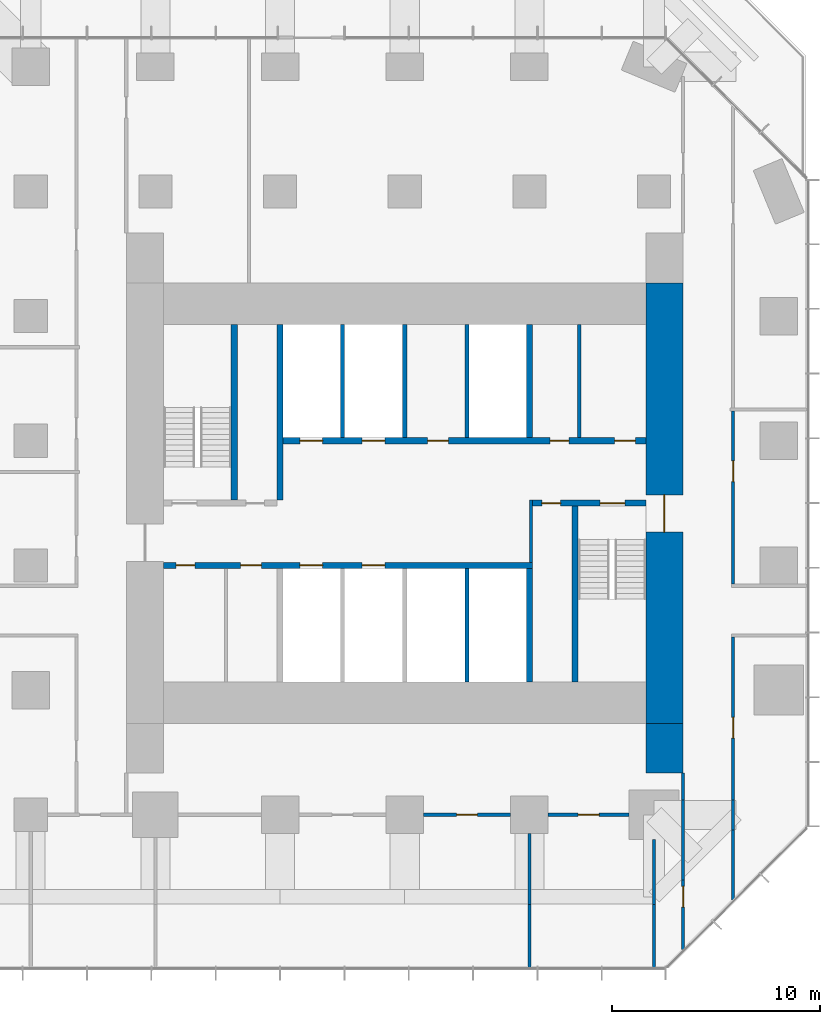
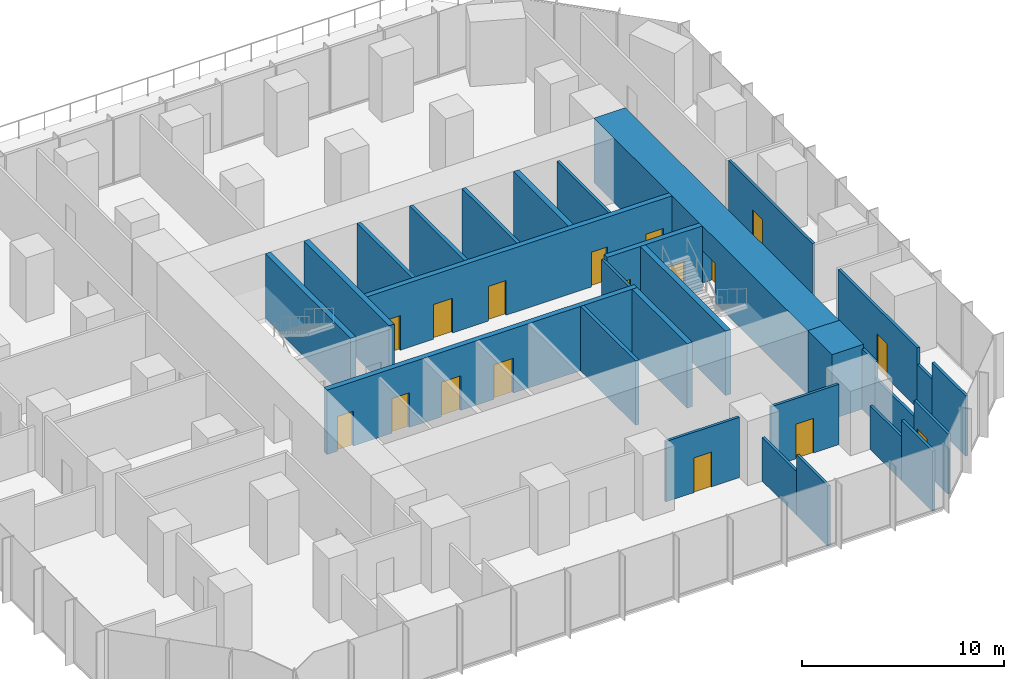
# One storey, part 9 of 11: 29 walls, 17 doors, 17 openings.
"""IFC4 building model written with IfcOpenShell, lengths in metres."""

from ifc_helpers import new_model, si_unit, direction, frame, frame_2d, origin, place, context, subcontext, project, spatial, rectangle, extrude, material, layer, layer_set, type_object, element, fill, save


model = new_model("IFC4")

# Units and contexts
model_context = context("Model", 3, precision=1e-05, world=origin(), true_north=direction((0.0, 1.0)))
body_context = subcontext(model_context, "Body", "Model", "MODEL_VIEW")
ifc_project = project(units=[si_unit("LENGTHUNIT", "METRE"), si_unit("AREAUNIT", "SQUARE_METRE"), si_unit("VOLUMEUNIT", "CUBIC_METRE"), si_unit("PLANEANGLEUNIT", "RADIAN"), si_unit("MASSUNIT", "GRAM", prefix="KILO")], contexts=[model_context])

# Site, building, storey
site_placement = place(None, origin())
site = spatial("IfcSite", under=ifc_project, at=site_placement, CompositionType="ELEMENT")
building_placement = place(site_placement, origin())
building = spatial("IfcBuilding", under=site, at=building_placement, Name="Highveld Stack Headquarters", CompositionType="ELEMENT")
storey_placement = place(building_placement, frame((0.0, 0.0, 117.199951171875)))
storey = spatial("IfcBuildingStorey", under=building, at=storey_placement, Name="L28", CompositionType="ELEMENT", Elevation=117.199951171875)

# Wall, opening, door
ifc_material_1 = material(Name="Concrete C60/75", Category="concrete")
ifc_layer_1 = layer(ifc_material_1, 1.800048828125)
ifc_layer_set_1 = layer_set([ifc_layer_1], Name="Concrete C60/75")
wall_type_1 = type_object("IfcWallType", Name="CORE WALL 1800 C60/75", PredefinedType="SHEAR", material=ifc_layer_set_1)
wall_1_placement = place(storey_placement, frame((18.5, -7.60009765625, 0.0), z_axis=(0.0, 0.0, 1.0), x_axis=(0.0, 1.0, 0.0)))
wall_1 = element("IfcWall", 1, at=wall_1_placement, inside=storey, type_object=wall_type_1, Name="Core wall E L28", PredefinedType="SHEAR", context=body_context, shape_type="SweptSolid", body=[
    extrude(rectangle(XDim=21.2001953125, YDim=1.800048828125, at=frame_2d((10.60009765625, 0.0))), origin(), (0.0, 0.0, 1.0), 3.900146484375),
])
opening_1_placement = place(wall_1_placement, frame((9.199951171875, 0.0, 0.0)))
opening_1 = element("IfcOpeningElement", 2, at=opening_1_placement, cuts=wall_1, Name="Opening L28-03", PredefinedType="OPENING", context=body_context, shape_type="SweptSolid", body=[
    extrude(rectangle(XDim=1.800048828125, YDim=2.39990234375, at=frame_2d((0.89990234375, 1.199951171875))), frame((0.0, 0.909912109375, 0.0), z_axis=(0.0, -1.0, 0.0), x_axis=(1.0, 0.0, 0.0)), (0.0, 0.0, 1.0), 1.820068359375),
])
ifc_material_2 = material(Name="Steel fire door", Category="steel")
door_type_1 = type_object("IfcDoorType", Name="LOBBY FIRE DOOR D4 1800x2400", OperationType="DOUBLE_DOOR_SINGLE_SWING", PredefinedType="DOOR", material=ifc_material_2)
door_1_placement = place(opening_1_placement, origin())
door_1 = element("IfcDoor", 3, at=door_1_placement, inside=storey, type_object=door_type_1, Name="Core east door L28", OperationType="DOUBLE_DOOR_SINGLE_SWING", OverallHeight=2.39990234375, OverallWidth=1.800048828125, PredefinedType="DOOR", context=body_context, shape_type="SweptSolid", body=[
    extrude(rectangle(XDim=1.800048828125, YDim=2.39990234375, at=frame_2d((0.89990234375, 1.199951171875))), frame((0.0, 0.02490234375, 0.0), z_axis=(0.0, -1.0, 0.0), x_axis=(1.0, 0.0, 0.0)), (0.0, 0.0, 1.0), 0.050048828125),
])
fill(opening_1, door_1)

# Wall, openings, doors
ifc_material_3 = material(Name="Concrete C60/75", Category="concrete")
ifc_layer_2 = layer(ifc_material_3, 0.300048828125)
ifc_layer_set_2 = layer_set([ifc_layer_2], Name="Concrete C60/75")
wall_type_2 = type_object("IfcWallType", Name="CORE WALL 300 C60/75", PredefinedType="SHEAR", material=ifc_layer_set_2)
wall_2_placement = place(storey_placement, frame((-5.60009765625, 0.0, 0.0), z_axis=(0.0, 0.0, 1.0), x_axis=(1.0, 0.0, 0.0)))
wall_2 = element("IfcWall", 4, at=wall_2_placement, inside=storey, type_object=wall_type_2, Name="Core wall I-Y0 L28", PredefinedType="SHEAR", context=body_context, shape_type="SweptSolid", body=[
    extrude(rectangle(XDim=17.75, YDim=0.300048828125, at=frame_2d((8.875, 0.0))), origin(), (0.0, 0.0, 1.0), 3.900146484375),
])
opening_2_placement = place(wall_2_placement, frame((0.60009765625, 0.0, 0.0)))
opening_2 = element("IfcOpeningElement", 5, at=opening_2_placement, cuts=wall_2, Name="Opening L28-08", PredefinedType="OPENING", context=body_context, shape_type="SweptSolid", body=[
    extrude(rectangle(XDim=0.89990234375, YDim=2.10009765625, at=frame_2d((0.449951171875, 1.050048828125))), frame((0.0, 0.159912109375, 0.0), z_axis=(0.0, -1.0, 0.0), x_axis=(1.0, 0.0, 0.0)), (0.0, 0.0, 1.0), 0.320068359375),
])
opening_3_placement = place(wall_2_placement, frame((3.699951171875, 0.0, 0.0)))
opening_3 = element("IfcOpeningElement", 6, at=opening_3_placement, cuts=wall_2, Name="Opening L28-09", PredefinedType="OPENING", context=body_context, shape_type="SweptSolid", body=[
    extrude(rectangle(XDim=1.0, YDim=2.10009765625, at=frame_2d((0.5, 1.050048828125))), frame((0.0, 0.159912109375, 0.0), z_axis=(0.0, -1.0, 0.0), x_axis=(1.0, 0.0, 0.0)), (0.0, 0.0, 1.0), 0.320068359375),
])
opening_4_placement = place(wall_2_placement, frame((6.550048828125, 0.0, 0.0)))
opening_4 = element("IfcOpeningElement", 7, at=opening_4_placement, cuts=wall_2, Name="Opening LD", PredefinedType="OPENING", context=body_context, shape_type="SweptSolid", body=[
    extrude(rectangle(XDim=1.10009765625, YDim=2.10009765625, at=frame_2d((0.550048828125, 1.050048828125))), frame((0.0, 0.159912109375, 0.0), z_axis=(0.0, -1.0, 0.0), x_axis=(1.0, 0.0, 0.0)), (0.0, 0.0, 1.0), 0.320068359375),
])
opening_5_placement = place(wall_2_placement, frame((9.550048828125, 0.0, 0.0)))
opening_5 = element("IfcOpeningElement", 8, at=opening_5_placement, cuts=wall_2, Name="Opening LD", PredefinedType="OPENING", context=body_context, shape_type="SweptSolid", body=[
    extrude(rectangle(XDim=1.10009765625, YDim=2.10009765625, at=frame_2d((0.550048828125, 1.050048828125))), frame((0.0, 0.159912109375, 0.0), z_axis=(0.0, -1.0, 0.0), x_axis=(1.0, 0.0, 0.0)), (0.0, 0.0, 1.0), 0.320068359375),
])
ifc_material_4 = material(Name="Steel fire door", Category="steel")
door_type_2 = type_object("IfcDoorType", Name="CORE ROOM FIRE DOOR D14 1000x2100", OperationType="SINGLE_SWING_LEFT", PredefinedType="DOOR", material=ifc_material_4)
door_2_placement = place(opening_3_placement, origin())
door_2 = element("IfcDoor", 9, at=door_2_placement, inside=storey, type_object=door_type_2, Name="Cleaners store door L28", OperationType="SINGLE_SWING_LEFT", OverallHeight=2.10009765625, OverallWidth=1.0, PredefinedType="DOOR", context=body_context, shape_type="SweptSolid", body=[
    extrude(rectangle(XDim=1.0, YDim=2.10009765625, at=frame_2d((0.5, 1.050048828125))), frame((0.0, 0.02490234375, 0.0), z_axis=(0.0, -1.0, 0.0), x_axis=(1.0, 0.0, 0.0)), (0.0, 0.0, 1.0), 0.050048828125),
])
fill(opening_3, door_2)
ifc_material_5 = material(Name="Stainless steel lift landing door", Category="steel")
door_type_3 = type_object("IfcDoorType", Name="LIFT LANDING DOOR LD 1100x2100", OperationType="DOUBLE_DOOR_SLIDING", PredefinedType="USERDEFINED", material=ifc_material_5)
door_3_placement = place(opening_4_placement, origin())
door_3 = element("IfcDoor", 10, at=door_3_placement, inside=storey, type_object=door_type_3, Name="Lift landing door B1 L28", ObjectType="LIFT LANDING DOOR", OperationType="DOUBLE_DOOR_SLIDING", OverallHeight=2.10009765625, OverallWidth=1.10009765625, PredefinedType="USERDEFINED", context=body_context, shape_type="SweptSolid", body=[
    extrude(rectangle(XDim=1.10009765625, YDim=2.10009765625, at=frame_2d((0.550048828125, 1.050048828125))), frame((0.0, 0.02490234375, 0.0), z_axis=(0.0, -1.0, 0.0), x_axis=(1.0, 0.0, 0.0)), (0.0, 0.0, 1.0), 0.050048828125),
])
fill(opening_4, door_3)
door_4_placement = place(opening_5_placement, origin())
door_4 = element("IfcDoor", 11, at=door_4_placement, inside=storey, type_object=door_type_3, Name="Lift landing door B2 L28", ObjectType="LIFT LANDING DOOR", OperationType="DOUBLE_DOOR_SLIDING", OverallHeight=2.10009765625, OverallWidth=1.10009765625, PredefinedType="USERDEFINED", context=body_context, shape_type="SweptSolid", body=[
    extrude(rectangle(XDim=1.10009765625, YDim=2.10009765625, at=frame_2d((0.550048828125, 1.050048828125))), frame((0.0, 0.02490234375, 0.0), z_axis=(0.0, -1.0, 0.0), x_axis=(1.0, 0.0, 0.0)), (0.0, 0.0, 1.0), 0.050048828125),
])
fill(opening_5, door_4)
ifc_material_6 = material(Name="Timber door, painted", Category="wood")
door_type_4 = type_object("IfcDoorType", Name="WC DOOR D1 900x2100", OperationType="SINGLE_SWING_LEFT", PredefinedType="DOOR", material=ifc_material_6)
door_5_placement = place(opening_2_placement, origin())
door_5 = element("IfcDoor", 12, at=door_5_placement, inside=storey, type_object=door_type_4, Name="Female WC door L28", OperationType="SINGLE_SWING_LEFT", OverallHeight=2.10009765625, OverallWidth=0.89990234375, PredefinedType="DOOR", context=body_context, shape_type="SweptSolid", body=[
    extrude(rectangle(XDim=0.89990234375, YDim=2.10009765625, at=frame_2d((0.449951171875, 1.050048828125))), frame((0.0, 0.02490234375, 0.0), z_axis=(0.0, -1.0, 0.0), x_axis=(1.0, 0.0, 0.0)), (0.0, 0.0, 1.0), 0.050048828125),
])
fill(opening_2, door_5)

wall_3_placement = place(storey_placement, frame((12.14990234375, 3.0, 0.0), z_axis=(0.0, 0.0, 1.0), x_axis=(1.0, 0.0, 0.0)))
wall_3 = element("IfcWall", 13, at=wall_3_placement, inside=storey, type_object=wall_type_2, Name="Core wall I-Y3E L28", PredefinedType="SHEAR", context=body_context, shape_type="SweptSolid", body=[
    extrude(rectangle(XDim=5.4501953125, YDim=0.300048828125, at=frame_2d((2.72509765625, 0.0))), origin(), (0.0, 0.0, 1.0), 3.900146484375),
])
opening_6_placement = place(wall_3_placement, frame((3.25, 0.0, 0.0)))
opening_6 = element("IfcOpeningElement", 14, at=opening_6_placement, cuts=wall_3, Name="Opening L28-06", PredefinedType="OPENING", context=body_context, shape_type="SweptSolid", body=[
    extrude(rectangle(XDim=1.199951171875, YDim=2.10009765625, at=frame_2d((0.60009765625, 1.050048828125))), frame((0.0, 0.159912109375, 0.0), z_axis=(0.0, -1.0, 0.0), x_axis=(1.0, 0.0, 0.0)), (0.0, 0.0, 1.0), 0.320068359375),
])
opening_7_placement = place(wall_3_placement, frame((0.449951171875, 0.0, 0.0)))
opening_7 = element("IfcOpeningElement", 15, at=opening_7_placement, cuts=wall_3, Name="Opening L28-07", PredefinedType="OPENING", context=body_context, shape_type="SweptSolid", body=[
    extrude(rectangle(XDim=0.89990234375, YDim=2.10009765625, at=frame_2d((0.449951171875, 1.050048828125))), frame((0.0, 0.159912109375, 0.0), z_axis=(0.0, -1.0, 0.0), x_axis=(1.0, 0.0, 0.0)), (0.0, 0.0, 1.0), 0.320068359375),
])
ifc_material_7 = material(Name="Steel fire door", Category="steel")
door_type_5 = type_object("IfcDoorType", Name="RISER ACCESS DOOR D5 900x2100", OperationType="SINGLE_SWING_LEFT", PredefinedType="DOOR", material=ifc_material_7)
door_6_placement = place(opening_7_placement, origin())
door_6 = element("IfcDoor", 16, at=door_6_placement, inside=storey, type_object=door_type_5, Name="Riser R2 door L28", OperationType="SINGLE_SWING_LEFT", OverallHeight=2.10009765625, OverallWidth=0.89990234375, PredefinedType="DOOR", context=body_context, shape_type="SweptSolid", body=[
    extrude(rectangle(XDim=0.89990234375, YDim=2.10009765625, at=frame_2d((0.449951171875, 1.050048828125))), frame((0.0, 0.02490234375, 0.0), z_axis=(0.0, -1.0, 0.0), x_axis=(1.0, 0.0, 0.0)), (0.0, 0.0, 1.0), 0.050048828125),
])
fill(opening_7, door_6)
ifc_material_8 = material(Name="Steel fire door", Category="steel")
door_type_6 = type_object("IfcDoorType", Name="STAIR FIRE DOOR D3 1200x2100", OperationType="SINGLE_SWING_LEFT", PredefinedType="DOOR", material=ifc_material_8)
door_7_placement = place(opening_6_placement, origin())
door_7 = element("IfcDoor", 17, at=door_7_placement, inside=storey, type_object=door_type_6, Name="Stair S2 door L28", OperationType="SINGLE_SWING_RIGHT", OverallHeight=2.10009765625, OverallWidth=1.199951171875, PredefinedType="DOOR", context=body_context, shape_type="SweptSolid", body=[
    extrude(rectangle(XDim=1.199951171875, YDim=2.10009765625, at=frame_2d((0.60009765625, 1.050048828125))), frame((0.0, 0.02490234375, 0.0), z_axis=(0.0, -1.0, 0.0), x_axis=(1.0, 0.0, 0.0)), (0.0, 0.0, 1.0), 0.050048828125),
])
fill(opening_6, door_7)

wall_4_placement = place(storey_placement, frame((-0.14990234375, 6.0, 0.0), z_axis=(0.0, 0.0, 1.0), x_axis=(1.0, 0.0, 0.0)))
wall_4 = element("IfcWall", 18, at=wall_4_placement, inside=storey, type_object=wall_type_2, Name="Core wall I-Y6 L28", PredefinedType="SHEAR", context=body_context, shape_type="SweptSolid", body=[
    extrude(rectangle(XDim=17.75, YDim=0.300048828125, at=frame_2d((8.875, 0.0))), origin(), (0.0, 0.0, 1.0), 3.900146484375),
])
opening_8_placement = place(wall_4_placement, frame((13.14990234375, 0.0, 0.0)))
opening_8 = element("IfcOpeningElement", 19, at=opening_8_placement, cuts=wall_4, Name="Opening L28-10", PredefinedType="OPENING", context=body_context, shape_type="SweptSolid", body=[
    extrude(rectangle(XDim=0.89990234375, YDim=2.10009765625, at=frame_2d((0.449951171875, 1.050048828125))), frame((0.0, 0.159912109375, 0.0), z_axis=(0.0, -1.0, 0.0), x_axis=(1.0, 0.0, 0.0)), (0.0, 0.0, 1.0), 0.320068359375),
])
opening_9_placement = place(wall_4_placement, frame((16.25, 0.0, 0.0)))
opening_9 = element("IfcOpeningElement", 20, at=opening_9_placement, cuts=wall_4, Name="Opening L28-11", PredefinedType="OPENING", context=body_context, shape_type="SweptSolid", body=[
    extrude(rectangle(XDim=1.0, YDim=2.10009765625, at=frame_2d((0.5, 1.050048828125))), frame((0.0, 0.159912109375, 0.0), z_axis=(0.0, -1.0, 0.0), x_axis=(1.0, 0.0, 0.0)), (0.0, 0.0, 1.0), 0.320068359375),
])
opening_10_placement = place(wall_4_placement, frame((7.25, 0.0, 0.0)))
opening_10 = element("IfcOpeningElement", 21, at=opening_10_placement, cuts=wall_4, Name="Opening L28-12", PredefinedType="OPENING", context=body_context, shape_type="SweptSolid", body=[
    extrude(rectangle(XDim=1.0, YDim=2.10009765625, at=frame_2d((0.5, 1.050048828125))), frame((0.0, 0.159912109375, 0.0), z_axis=(0.0, -1.0, 0.0), x_axis=(1.0, 0.0, 0.0)), (0.0, 0.0, 1.0), 0.320068359375),
])
opening_11_placement = place(wall_4_placement, frame((1.10009765625, 0.0, 0.0)))
opening_11 = element("IfcOpeningElement", 22, at=opening_11_placement, cuts=wall_4, Name="Opening LD", PredefinedType="OPENING", context=body_context, shape_type="SweptSolid", body=[
    extrude(rectangle(XDim=1.10009765625, YDim=2.10009765625, at=frame_2d((0.550048828125, 1.050048828125))), frame((0.0, 0.159912109375, 0.0), z_axis=(0.0, -1.0, 0.0), x_axis=(1.0, 0.0, 0.0)), (0.0, 0.0, 1.0), 0.320068359375),
])
opening_12_placement = place(wall_4_placement, frame((4.10009765625, 0.0, 0.0)))
opening_12 = element("IfcOpeningElement", 23, at=opening_12_placement, cuts=wall_4, Name="Opening LD", PredefinedType="OPENING", context=body_context, shape_type="SweptSolid", body=[
    extrude(rectangle(XDim=1.10009765625, YDim=2.10009765625, at=frame_2d((0.550048828125, 1.050048828125))), frame((0.0, 0.159912109375, 0.0), z_axis=(0.0, -1.0, 0.0), x_axis=(1.0, 0.0, 0.0)), (0.0, 0.0, 1.0), 0.320068359375),
])
ifc_material_9 = material(Name="Timber door, painted", Category="wood")
door_type_7 = type_object("IfcDoorType", Name="ACCESSIBLE WC DOOR D2 1000x2100", OperationType="SINGLE_SWING_RIGHT", PredefinedType="DOOR", material=ifc_material_9)
door_8_placement = place(opening_9_placement, origin())
door_8 = element("IfcDoor", 24, at=door_8_placement, inside=storey, type_object=door_type_7, Name="Accessible WC door L28", OperationType="SINGLE_SWING_RIGHT", OverallHeight=2.10009765625, OverallWidth=1.0, PredefinedType="DOOR", context=body_context, shape_type="SweptSolid", body=[
    extrude(rectangle(XDim=1.0, YDim=2.10009765625, at=frame_2d((0.5, 1.050048828125))), frame((0.0, 0.02490234375, 0.0), z_axis=(0.0, -1.0, 0.0), x_axis=(1.0, 0.0, 0.0)), (0.0, 0.0, 1.0), 0.050048828125),
])
fill(opening_9, door_8)
door_9_placement = place(opening_10_placement, origin())
door_9 = element("IfcDoor", 25, at=door_9_placement, inside=storey, type_object=door_type_2, Name="Capped A 1 door L28", OperationType="SINGLE_SWING_LEFT", OverallHeight=2.10009765625, OverallWidth=1.0, PredefinedType="DOOR", context=body_context, shape_type="SweptSolid", body=[
    extrude(rectangle(XDim=1.0, YDim=2.10009765625, at=frame_2d((0.5, 1.050048828125))), frame((0.0, 0.02490234375, 0.0), z_axis=(0.0, -1.0, 0.0), x_axis=(1.0, 0.0, 0.0)), (0.0, 0.0, 1.0), 0.050048828125),
])
fill(opening_10, door_9)
door_10_placement = place(opening_11_placement, origin())
door_10 = element("IfcDoor", 26, at=door_10_placement, inside=storey, type_object=door_type_3, Name="Lift landing door FF1 L28", ObjectType="LIFT LANDING DOOR", OperationType="DOUBLE_DOOR_SLIDING", OverallHeight=2.10009765625, OverallWidth=1.10009765625, PredefinedType="USERDEFINED", context=body_context, shape_type="SweptSolid", body=[
    extrude(rectangle(XDim=1.10009765625, YDim=2.10009765625, at=frame_2d((0.550048828125, 1.050048828125))), frame((0.0, 0.02490234375, 0.0), z_axis=(0.0, -1.0, 0.0), x_axis=(1.0, 0.0, 0.0)), (0.0, 0.0, 1.0), 0.050048828125),
])
fill(opening_11, door_10)
door_11_placement = place(opening_12_placement, origin())
door_11 = element("IfcDoor", 27, at=door_11_placement, inside=storey, type_object=door_type_3, Name="Lift landing door FF2 L28", ObjectType="LIFT LANDING DOOR", OperationType="DOUBLE_DOOR_SLIDING", OverallHeight=2.10009765625, OverallWidth=1.10009765625, PredefinedType="USERDEFINED", context=body_context, shape_type="SweptSolid", body=[
    extrude(rectangle(XDim=1.10009765625, YDim=2.10009765625, at=frame_2d((0.550048828125, 1.050048828125))), frame((0.0, 0.02490234375, 0.0), z_axis=(0.0, -1.0, 0.0), x_axis=(1.0, 0.0, 0.0)), (0.0, 0.0, 1.0), 0.050048828125),
])
fill(opening_12, door_11)
door_12_placement = place(opening_8_placement, origin())
door_12 = element("IfcDoor", 28, at=door_12_placement, inside=storey, type_object=door_type_4, Name="Male WC door L28", OperationType="SINGLE_SWING_RIGHT", OverallHeight=2.10009765625, OverallWidth=0.89990234375, PredefinedType="DOOR", context=body_context, shape_type="SweptSolid", body=[
    extrude(rectangle(XDim=0.89990234375, YDim=2.10009765625, at=frame_2d((0.449951171875, 1.050048828125))), frame((0.0, 0.02490234375, 0.0), z_axis=(0.0, -1.0, 0.0), x_axis=(1.0, 0.0, 0.0)), (0.0, 0.0, 1.0), 0.050048828125),
])
fill(opening_8, door_12)

# Walls
wall_5_placement = place(storey_placement, frame((0.0, 3.14990234375, 0.0), z_axis=(0.0, 0.0, 1.0), x_axis=(0.0, 1.0, 0.0)))
element("IfcWall", 29, at=wall_5_placement, inside=storey, type_object=wall_type_2, Name="Core wall I-X0N L28", PredefinedType="SHEAR", context=body_context, shape_type="SweptSolid", body=[
    extrude(rectangle(XDim=8.4501953125, YDim=0.300048828125, at=frame_2d((4.22509765625, 0.0))), origin(), (0.0, 0.0, 1.0), 3.900146484375),
])
for number, where, z_axis, x_axis, name in (
    (30, (12.0, -5.60009765625, 0.0), (0.0, 0.0, 1.0), (0.0, 1.0, 0.0), "Core wall I-X12S L28"),
    (31, (12.0, 6.14990234375, 0.0), (0.0, 0.0, 1.0), (0.0, 1.0, 0.0), "Core wall I-X12N L28"),
):
    element("IfcWall", number, at=place(storey_placement, frame(where, z_axis=z_axis, x_axis=x_axis)), inside=storey, type_object=wall_type_2, Name=name, PredefinedType="SHEAR", context=body_context, shape_type="SweptSolid", body=[
        extrude(rectangle(XDim=5.4501953125, YDim=0.300048828125, at=frame_2d((2.72509765625, 0.0))), origin(), (0.0, 0.0, 1.0), 3.900146484375),
    ])
for number, where, z_axis, x_axis, name in (
    (32, (-2.199951171875, 3.14990234375, 0.0), (0.0, 0.0, 1.0), (0.0, 1.0, 0.0), "Core wall I-RW L28"),
    (33, (14.199951171875, -5.60009765625, 0.0), (0.0, 0.0, 1.0), (0.0, 1.0, 0.0), "Core wall I-RE L28"),
):
    element("IfcWall", number, at=place(storey_placement, frame(where, z_axis=z_axis, x_axis=x_axis)), inside=storey, type_object=wall_type_2, Name=name, PredefinedType="SHEAR", context=body_context, shape_type="SweptSolid", body=[
        extrude(rectangle(XDim=8.4501953125, YDim=0.300048828125, at=frame_2d((4.22509765625, 0.0))), origin(), (0.0, 0.0, 1.0), 3.900146484375),
    ])
ifc_material_10 = material(Name="Concrete C60/75", Category="concrete")
ifc_layer_3 = layer(ifc_material_10, 1.800048828125)
ifc_layer_set_3 = layer_set([ifc_layer_3], Name="Concrete C60/75")
wall_type_3 = type_object("IfcWallType", Name="CORE WING WALL 1800 C60/75", PredefinedType="SHEAR", material=ifc_layer_set_3)
wall_6_placement = place(storey_placement, frame((18.5, -10.0, 0.0), z_axis=(0.0, 0.0, 1.0), x_axis=(0.0, 1.0, 0.0)))
element("IfcWall", 34, at=wall_6_placement, inside=storey, type_object=wall_type_3, Name="Core wing wall ES L28", PredefinedType="SHEAR", context=body_context, shape_type="SweptSolid", body=[
    extrude(rectangle(XDim=2.39990234375, YDim=1.800048828125, at=frame_2d((1.199951171875, 0.0))), origin(), (0.0, 0.0, 1.0), 3.900146484375),
])
ifc_material_11 = material(Name="Concrete blockwork, plastered", Category="masonry")
ifc_layer_4 = layer(ifc_material_11, 0.14990234375)
ifc_layer_set_4 = layer_set([ifc_layer_4], Name="Concrete blockwork, plastered")
wall_type_4 = type_object("IfcWallType", Name="FIRE PARTITION 150 BLOCKWORK", PredefinedType="PARTITIONING", material=ifc_layer_set_4)
wall_7_placement = place(storey_placement, frame((12.074951171875, 0.14990234375, 0.0), z_axis=(0.0, 0.0, 1.0), x_axis=(0.0, 1.0, 0.0)))
element("IfcWall", 35, at=wall_7_placement, inside=storey, type_object=wall_type_4, Name="Riser R2 enclosure L28", PredefinedType="PARTITIONING", context=body_context, shape_type="SweptSolid", body=[
    extrude(rectangle(XDim=3.0, YDim=0.14990234375, at=frame_2d((1.5, 0.0))), origin(), (0.0, 0.0, 1.0), 3.650146484375),
])

# Wall, opening, door
ifc_material_12 = material(Name="Laminated glass in aluminium frame", Category="aluminium")
ifc_layer_5 = layer(ifc_material_12, 0.14990234375)
ifc_layer_set_5 = layer_set([ifc_layer_5], Name="Laminated glass in aluminium frame")
wall_type_5 = type_object("IfcWallType", Name="GLAZED PARTITION 150", PredefinedType="PARTITIONING", material=ifc_layer_set_5)
wall_8_placement = place(storey_placement, frame((6.89990234375, -12.0, 0.0), z_axis=(0.0, 0.0, 1.0), x_axis=(1.0, 0.0, 0.0)))
wall_8 = element("IfcWall", 36, at=wall_8_placement, inside=storey, type_object=wall_type_5, Name="Glazed partition Project office L28", PredefinedType="PARTITIONING", context=body_context, shape_type="SweptSolid", body=[
    extrude(rectangle(XDim=4.2001953125, YDim=0.14990234375, at=frame_2d((2.10009765625, 0.0))), origin(), (0.0, 0.0, 1.0), 3.650146484375),
])
opening_13_placement = place(wall_8_placement, frame((1.60009765625, 0.0, 0.0)))
opening_13 = element("IfcOpeningElement", 37, at=opening_13_placement, cuts=wall_8, Name="Opening L28-14", PredefinedType="OPENING", context=body_context, shape_type="SweptSolid", body=[
    extrude(rectangle(XDim=1.0, YDim=2.10009765625, at=frame_2d((0.5, 1.050048828125))), frame((0.0, 0.0849609375, 0.0), z_axis=(0.0, -1.0, 0.0), x_axis=(1.0, 0.0, 0.0)), (0.0, 0.0, 1.0), 0.169921875),
])
ifc_material_13 = material(Name="Timber door, oiled ash", Category="wood")
door_type_8 = type_object("IfcDoorType", Name="ROOM DOOR D6 1000x2100", OperationType="SINGLE_SWING_LEFT", PredefinedType="DOOR", material=ifc_material_13)
door_13_placement = place(opening_13_placement, origin())
door_13 = element("IfcDoor", 38, at=door_13_placement, inside=storey, type_object=door_type_8, Name="Project office door 1 L28", OperationType="SINGLE_SWING_LEFT", OverallHeight=2.10009765625, OverallWidth=1.0, PredefinedType="DOOR", context=body_context, shape_type="SweptSolid", body=[
    extrude(rectangle(XDim=1.0, YDim=2.10009765625, at=frame_2d((0.5, 1.050048828125))), frame((0.0, 0.02490234375, 0.0), z_axis=(0.0, -1.0, 0.0), x_axis=(1.0, 0.0, 0.0)), (0.0, 0.0, 1.0), 0.050048828125),
])
fill(opening_13, door_13)

# Walls
ifc_material_14 = material(Name="Concrete blockwork, fair-faced", Category="masonry")
ifc_layer_6 = layer(ifc_material_14, 0.199951171875)
ifc_layer_set_6 = layer_set([ifc_layer_6], Name="Concrete blockwork, fair-faced")
wall_type_6 = type_object("IfcWallType", Name="LIFT SHAFT ENCLOSURE WALL 200 BLOCKWORK", PredefinedType="SOLIDWALL", material=ifc_layer_set_6)
for number, where, z_axis, x_axis, name in (
    (39, (3.0, 6.14990234375, 0.0), (0.0, 0.0, 1.0), (0.0, 1.0, 0.0), "Lift shaft wall L28"),
    (40, (6.0, 6.14990234375, 0.0), (0.0, 0.0, 1.0), (0.0, 1.0, 0.0), "Lift shaft wall L28"),
    (41, (9.0, 6.14990234375, 0.0), (0.0, 0.0, 1.0), (0.0, 1.0, 0.0), "Lift shaft wall L28"),
    (42, (9.0, -5.60009765625, 0.0), (0.0, 0.0, 1.0), (0.0, 1.0, 0.0), "Lift shaft wall L28"),
):
    element("IfcWall", number, at=place(storey_placement, frame(where, z_axis=z_axis, x_axis=x_axis)), inside=storey, type_object=wall_type_6, Name=name, PredefinedType="SOLIDWALL", context=body_context, shape_type="SweptSolid", body=[
        extrude(rectangle(XDim=5.4501953125, YDim=0.199951171875, at=frame_2d((2.72509765625, 0.0))), origin(), (0.0, 0.0, 1.0), 3.900146484375),
    ])

# Wall, opening, door
ifc_material_15 = material(Name="Gypsum plasterboard on steel studs", Category="steel")
ifc_layer_7 = layer(ifc_material_15, 0.14990234375)
ifc_layer_set_7 = layer_set([ifc_layer_7], Name="Gypsum plasterboard on steel studs")
wall_type_7 = type_object("IfcWallType", Name="PARTITION 150 PLASTERBOARD", PredefinedType="PARTITIONING", material=ifc_layer_set_7)
wall_9_placement = place(storey_placement, frame((12.89990234375, -12.0, 0.0), z_axis=(0.0, 0.0, 1.0), x_axis=(1.0, 0.0, 0.0)))
wall_9 = element("IfcWall", 43, at=wall_9_placement, inside=storey, type_object=wall_type_7, Name="Partition Office L28", PredefinedType="PARTITIONING", context=body_context, shape_type="SweptSolid", body=[
    extrude(rectangle(XDim=3.900146484375, YDim=0.14990234375, at=frame_2d((1.9501953125, 0.0))), origin(), (0.0, 0.0, 1.0), 3.650146484375),
])
opening_14_placement = place(wall_9_placement, frame((1.449951171875, 0.0, 0.0)))
opening_14 = element("IfcOpeningElement", 44, at=opening_14_placement, cuts=wall_9, Name="Opening L28-16", PredefinedType="OPENING", context=body_context, shape_type="SweptSolid", body=[
    extrude(rectangle(XDim=1.0, YDim=2.10009765625, at=frame_2d((0.5, 1.050048828125))), frame((0.0, 0.0849609375, 0.0), z_axis=(0.0, -1.0, 0.0), x_axis=(1.0, 0.0, 0.0)), (0.0, 0.0, 1.0), 0.169921875),
])
door_14_placement = place(opening_14_placement, origin())
door_14 = element("IfcDoor", 45, at=door_14_placement, inside=storey, type_object=door_type_8, Name="Office door 1 L28", OperationType="SINGLE_SWING_LEFT", OverallHeight=2.10009765625, OverallWidth=1.0, PredefinedType="DOOR", context=body_context, shape_type="SweptSolid", body=[
    extrude(rectangle(XDim=1.0, YDim=2.10009765625, at=frame_2d((0.5, 1.050048828125))), frame((0.0, 0.02490234375, 0.0), z_axis=(0.0, -1.0, 0.0), x_axis=(1.0, 0.0, 0.0)), (0.0, 0.0, 1.0), 0.050048828125),
])
fill(opening_14, door_14)

# Walls
wall_10_placement = place(storey_placement, frame((12.0, -19.39990234375, 0.0), z_axis=(0.0, 0.0, 1.0), x_axis=(0.0, 1.0, 0.0)))
element("IfcWall", 46, at=wall_10_placement, inside=storey, type_object=wall_type_7, Name="Partition Office / Project office L28", PredefinedType="PARTITIONING", context=body_context, shape_type="SweptSolid", body=[
    extrude(rectangle(XDim=3.08984375, YDim=0.14990234375, at=frame_2d((1.544921875, 0.0))), origin(), (0.0, 0.0, 1.0), 3.650146484375),
])
wall_11_placement = place(storey_placement, frame((12.0, -16.31005859375, 0.0), z_axis=(0.0, 0.0, 1.0), x_axis=(0.0, 1.0, 0.0)))
element("IfcWall", 47, at=wall_11_placement, inside=storey, type_object=wall_type_7, Name="Partition Office / Project office L28", PredefinedType="PARTITIONING", context=body_context, shape_type="SweptSolid", body=[
    extrude(rectangle(XDim=3.41015625, YDim=0.14990234375, at=frame_2d((1.705078125, 0.0))), origin(), (0.0, 0.0, 1.0), 2.650146484375),
])
wall_12_placement = place(storey_placement, frame((18.0, -19.39990234375, 0.0), z_axis=(0.0, 0.0, 1.0), x_axis=(0.0, 1.0, 0.0)))
element("IfcWall", 48, at=wall_12_placement, inside=storey, type_object=wall_type_7, Name="Partition Office L28", PredefinedType="PARTITIONING", context=body_context, shape_type="SweptSolid", body=[
    extrude(rectangle(XDim=3.08984375, YDim=0.14990234375, at=frame_2d((1.544921875, 0.0))), origin(), (0.0, 0.0, 1.0), 3.650146484375),
])
wall_13_placement = place(storey_placement, frame((18.0, -16.31005859375, 0.0), z_axis=(0.0, 0.0, 1.0), x_axis=(0.0, 1.0, 0.0)))
element("IfcWall", 49, at=wall_13_placement, inside=storey, type_object=wall_type_7, Name="Partition Office L28", PredefinedType="PARTITIONING", context=body_context, shape_type="SweptSolid", body=[
    extrude(rectangle(XDim=3.110107421875, YDim=0.14990234375, at=frame_2d((1.55517578125, 0.0))), origin(), (0.0, 0.0, 1.0), 2.650146484375),
])

# Wall, opening, door
wall_14_placement = place(storey_placement, frame((19.39990234375, -18.489013671875, 0.0), z_axis=(0.0, 0.0, 1.0), x_axis=(0.0, 1.0, 0.0)))
wall_14 = element("IfcWall", 50, at=wall_14_placement, inside=storey, type_object=wall_type_7, Name="Partition office neighbourhood L28", PredefinedType="PARTITIONING", context=body_context, shape_type="SweptSolid", body=[
    extrude(rectangle(XDim=3.34912109375, YDim=0.14990234375, at=frame_2d((1.674560546875, 0.0))), origin(), (0.0, 0.0, 1.0), 3.650146484375),
])
opening_15_placement = place(wall_14_placement, frame((2.049072265625, 0.0, 0.0)))
opening_15 = element("IfcOpeningElement", 51, at=opening_15_placement, cuts=wall_14, Name="Opening L28-21", PredefinedType="OPENING", context=body_context, shape_type="SweptSolid", body=[
    extrude(rectangle(XDim=1.0, YDim=2.10009765625, at=frame_2d((0.5, 1.050048828125))), frame((0.0, 0.0849609375, 0.0), z_axis=(0.0, -1.0, 0.0), x_axis=(1.0, 0.0, 0.0)), (0.0, 0.0, 1.0), 0.169921875),
])
door_15_placement = place(opening_15_placement, origin())
door_15 = element("IfcDoor", 52, at=door_15_placement, inside=storey, type_object=door_type_8, Name="Office neighbourhood door L28", OperationType="SINGLE_SWING_RIGHT", OverallHeight=2.10009765625, OverallWidth=1.0, PredefinedType="DOOR", context=body_context, shape_type="SweptSolid", body=[
    extrude(rectangle(XDim=1.0, YDim=2.10009765625, at=frame_2d((0.5, 1.050048828125))), frame((0.0, 0.02490234375, 0.0), z_axis=(0.0, -1.0, 0.0), x_axis=(1.0, 0.0, 0.0)), (0.0, 0.0, 1.0), 0.050048828125),
])
fill(opening_15, door_15)

# Walls
wall_15_placement = place(storey_placement, frame((19.39990234375, -15.139892578125, 0.0), z_axis=(0.0, 0.0, 1.0), x_axis=(0.0, 1.0, 0.0)))
element("IfcWall", 53, at=wall_15_placement, inside=storey, type_object=wall_type_7, Name="Partition office neighbourhood L28", PredefinedType="PARTITIONING", context=body_context, shape_type="SweptSolid", body=[
    extrude(rectangle(XDim=3.849853515625, YDim=0.14990234375, at=frame_2d((1.9248046875, 0.0))), origin(), (0.0, 0.0, 1.0), 2.650146484375),
])
wall_16_placement = place(storey_placement, frame((19.39990234375, -11.2900390625, 0.0), z_axis=(0.0, 0.0, 1.0), x_axis=(0.0, 1.0, 0.0)))
element("IfcWall", 54, at=wall_16_placement, inside=storey, type_object=wall_type_7, Name="Partition office neighbourhood L28", PredefinedType="PARTITIONING", context=body_context, shape_type="SweptSolid", body=[
    extrude(rectangle(XDim=1.2900390625, YDim=0.14990234375, at=frame_2d((0.64501953125, 0.0))), origin(), (0.0, 0.0, 1.0), 3.650146484375),
])
wall_17_placement = place(storey_placement, frame((21.800048828125, -16.089111328125, 0.0), z_axis=(0.0, 0.0, 1.0), x_axis=(0.0, 1.0, 0.0)))
element("IfcWall", 55, at=wall_17_placement, inside=storey, type_object=wall_type_7, Name="Partition office neighbourhood L28", PredefinedType="PARTITIONING", context=body_context, shape_type="SweptSolid", body=[
    extrude(rectangle(XDim=3.34912109375, YDim=0.14990234375, at=frame_2d((1.674560546875, 0.0))), origin(), (0.0, 0.0, 1.0), 3.650146484375),
])
wall_18_placement = place(storey_placement, frame((21.800048828125, -12.739990234375, 0.0), z_axis=(0.0, 0.0, 1.0), x_axis=(0.0, 1.0, 0.0)))
element("IfcWall", 56, at=wall_18_placement, inside=storey, type_object=wall_type_7, Name="Partition office neighbourhood L28", PredefinedType="PARTITIONING", context=body_context, shape_type="SweptSolid", body=[
    extrude(rectangle(XDim=1.449951171875, YDim=0.14990234375, at=frame_2d((0.72509765625, 0.0))), origin(), (0.0, 0.0, 1.0), 2.650146484375),
])

# Wall, opening, door
wall_19_placement = place(storey_placement, frame((21.800048828125, -11.2900390625, 0.0), z_axis=(0.0, 0.0, 1.0), x_axis=(0.0, 1.0, 0.0)))
wall_19 = element("IfcWall", 57, at=wall_19_placement, inside=storey, type_object=wall_type_7, Name="Partition office neighbourhood L28", PredefinedType="PARTITIONING", context=body_context, shape_type="SweptSolid", body=[
    extrude(rectangle(XDim=7.840087890625, YDim=0.14990234375, at=frame_2d((3.919921875, 0.0))), origin(), (0.0, 0.0, 1.0), 3.650146484375),
])
opening_16_placement = place(wall_19_placement, frame((2.98291015625, 0.0, 0.0)))
opening_16 = element("IfcOpeningElement", 58, at=opening_16_placement, cuts=wall_19, Name="Opening L28-22", PredefinedType="OPENING", context=body_context, shape_type="SweptSolid", body=[
    extrude(rectangle(XDim=1.0, YDim=2.10009765625, at=frame_2d((0.5, 1.050048828125))), frame((0.0, 0.0849609375, 0.0), z_axis=(0.0, -1.0, 0.0), x_axis=(1.0, 0.0, 0.0)), (0.0, 0.0, 1.0), 0.169921875),
])
door_16_placement = place(opening_16_placement, origin())
door_16 = element("IfcDoor", 59, at=door_16_placement, inside=storey, type_object=door_type_8, Name="Office neighbourhood door L28", OperationType="SINGLE_SWING_LEFT", OverallHeight=2.10009765625, OverallWidth=1.0, PredefinedType="DOOR", context=body_context, shape_type="SweptSolid", body=[
    extrude(rectangle(XDim=1.0, YDim=2.10009765625, at=frame_2d((0.5, 1.050048828125))), frame((0.0, 0.02490234375, 0.0), z_axis=(0.0, -1.0, 0.0), x_axis=(1.0, 0.0, 0.0)), (0.0, 0.0, 1.0), 0.050048828125),
])
fill(opening_16, door_16)

wall_20_placement = place(storey_placement, frame((21.800048828125, -0.89990234375, 0.0), z_axis=(0.0, 0.0, 1.0), x_axis=(0.0, 1.0, 0.0)))
wall_20 = element("IfcWall", 60, at=wall_20_placement, inside=storey, type_object=wall_type_7, Name="Partition office neighbourhood L28", PredefinedType="PARTITIONING", context=body_context, shape_type="SweptSolid", body=[
    extrude(rectangle(XDim=8.324951171875, YDim=0.14990234375, at=frame_2d((4.16259765625, 0.0))), origin(), (0.0, 0.0, 1.0), 3.650146484375),
])
opening_17_placement = place(wall_20_placement, frame((4.93408203125, 0.0, 0.0)))
opening_17 = element("IfcOpeningElement", 61, at=opening_17_placement, cuts=wall_20, Name="Opening L28-23", PredefinedType="OPENING", context=body_context, shape_type="SweptSolid", body=[
    extrude(rectangle(XDim=1.0, YDim=2.10009765625, at=frame_2d((0.5, 1.050048828125))), frame((0.0, 0.0849609375, 0.0), z_axis=(0.0, -1.0, 0.0), x_axis=(1.0, 0.0, 0.0)), (0.0, 0.0, 1.0), 0.169921875),
])
door_17_placement = place(opening_17_placement, origin())
door_17 = element("IfcDoor", 62, at=door_17_placement, inside=storey, type_object=door_type_8, Name="Office neighbourhood door L28", OperationType="SINGLE_SWING_RIGHT", OverallHeight=2.10009765625, OverallWidth=1.0, PredefinedType="DOOR", context=body_context, shape_type="SweptSolid", body=[
    extrude(rectangle(XDim=1.0, YDim=2.10009765625, at=frame_2d((0.5, 1.050048828125))), frame((0.0, 0.02490234375, 0.0), z_axis=(0.0, -1.0, 0.0), x_axis=(1.0, 0.0, 0.0)), (0.0, 0.0, 1.0), 0.050048828125),
])
fill(opening_17, door_17)

# Wall
ifc_material_16 = material(Name="Concrete blockwork, tiled", Category="masonry")
ifc_layer_8 = layer(ifc_material_16, 0.14990234375)
ifc_layer_set_8 = layer_set([ifc_layer_8], Name="Concrete blockwork, tiled")
wall_type_8 = type_object("IfcWallType", Name="WC PARTITION 150", PredefinedType="PLUMBINGWALL", material=ifc_layer_set_8)
wall_21_placement = place(storey_placement, frame((14.39990234375, 6.14990234375, 0.0), z_axis=(0.0, 0.0, 1.0), x_axis=(0.0, 1.0, 0.0)))
element("IfcWall", 63, at=wall_21_placement, inside=storey, type_object=wall_type_8, Name="Toilet partition L28", PredefinedType="PLUMBINGWALL", context=body_context, shape_type="SweptSolid", body=[
    extrude(rectangle(XDim=5.4501953125, YDim=0.14990234375, at=frame_2d((2.72509765625, 0.0))), origin(), (0.0, 0.0, 1.0), 3.650146484375),
])

save(model, "model.ifc")
